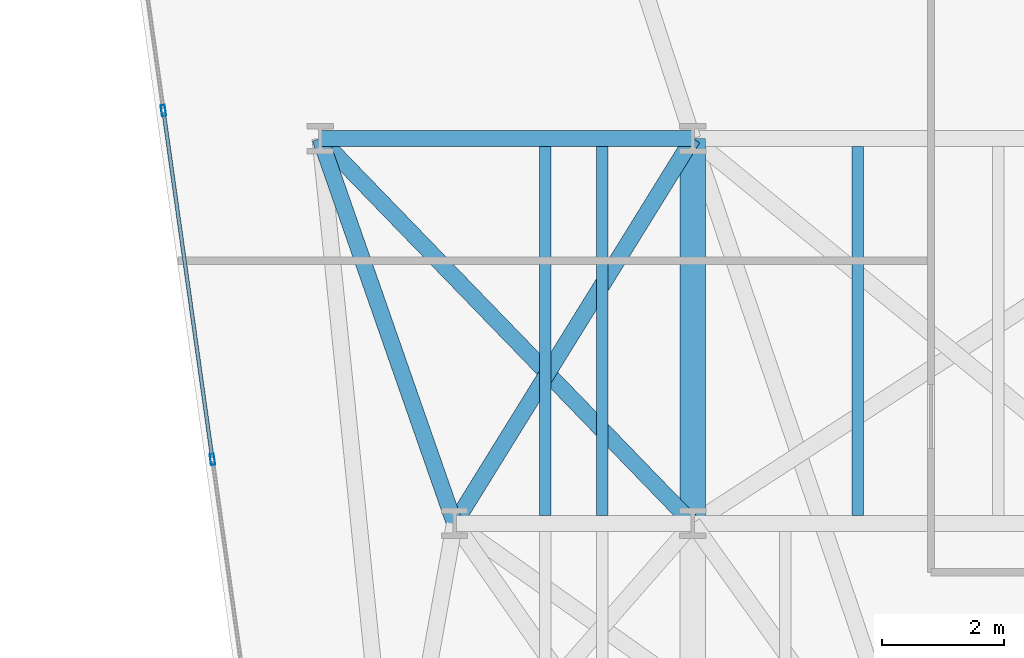
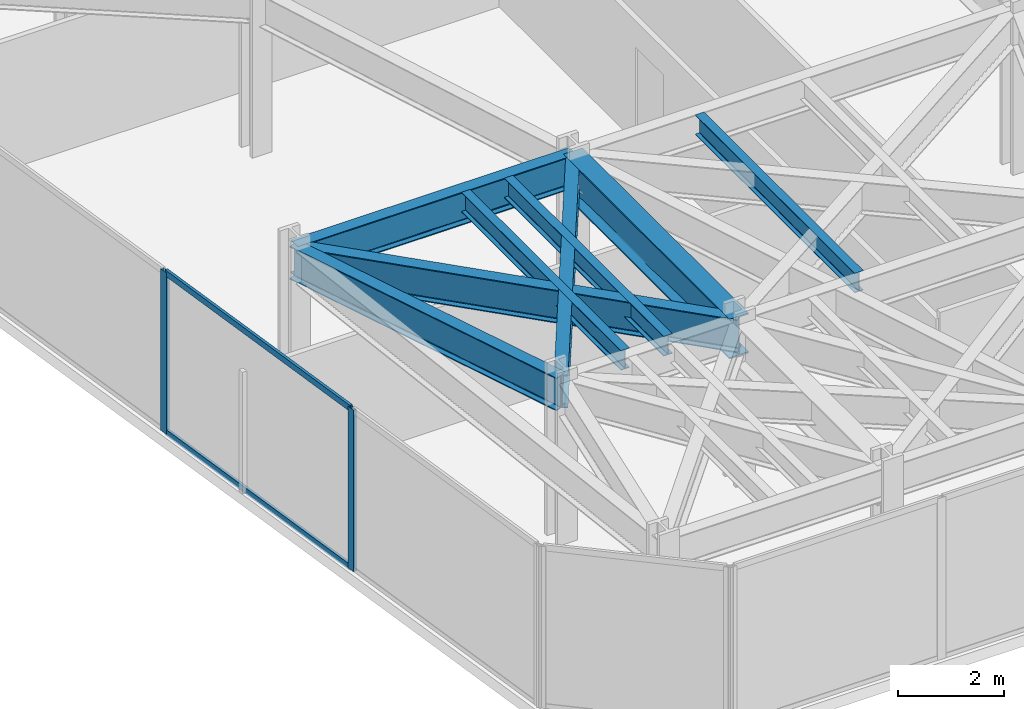
# One storey, part 4 of 25: 8 beams, 4 members, 1 element without a shape of its own.
"""IFC4 building model written with IfcOpenShell, lengths in metres."""

from ifc_helpers import new_model, si_unit, direction, frame, origin, origin_2d, place, context, subcontext, project, spatial, hollow_rectangle, i_section, extrude, material, layer, layer_set, material_profile, profile_set, type_object, element, aggregate, save


model = new_model("IFC4")

# Units and contexts
model_context = context("Model", 3, precision=1e-05, world=origin(), true_north=direction((0.0, 1.0)))
body_context = subcontext(model_context, "Body", "Model", "MODEL_VIEW")
ifc_project = project(units=[si_unit("LENGTHUNIT", "METRE"), si_unit("AREAUNIT", "SQUARE_METRE"), si_unit("VOLUMEUNIT", "CUBIC_METRE"), si_unit("PLANEANGLEUNIT", "RADIAN"), si_unit("MASSUNIT", "GRAM", prefix="KILO")], contexts=[model_context])

# Site, building, storey
site_placement = place(None, origin())
site = spatial("IfcSite", under=ifc_project, at=site_placement, CompositionType="ELEMENT")
building_placement = place(site_placement, origin())
building = spatial("IfcBuilding", under=site, at=building_placement, Name="Kravanh Interchange Tower", CompositionType="ELEMENT")
storey_placement = place(building_placement, frame((0.0, 0.0, 73.5)))
storey = spatial("IfcBuildingStorey", under=building, at=storey_placement, Name="L17", CompositionType="ELEMENT", Elevation=73.5)

# Curtain wall, members
ifc_material_1 = material(Name="Anodised Bronze Aluminium", Category="aluminium")
ifc_layer = layer(ifc_material_1, 0.179931640625)
ifc_layer_set = layer_set([ifc_layer], Name="Unitised Curtain Wall System CW-Z1 Lower Office")
curtain_wall_type = type_object("IfcCurtainWallType", Name="Unitised Curtain Wall System CW-Z1 Lower Office", PredefinedType="NOTDEFINED", material=ifc_layer_set)
curtain_wall_placement = place(storey_placement, origin())
curtain_wall = element("IfcCurtainWall", 1, at=curtain_wall_placement, inside=storey, type_object=curtain_wall_type, Name="L17 Unitised Curtain Wall CW-L17-01", PredefinedType="NOTDEFINED")
ifc_material_2 = material(Name="Anodised Bronze Aluminium", Category="aluminium")
ifc_material_profile_1 = material_profile(ifc_material_2, hollow_rectangle(XDim=0.070068359375, YDim=0.179931640625, WallThickness=0.00390625, at=origin_2d()), Name="ALU70X180X4")
ifc_profile_set_1 = profile_set([ifc_material_profile_1], Name="Anodised Bronze Aluminium")
member_type_1 = type_object("IfcMemberType", Name="Curtain Wall Mullion ALU70X180X4 Bronze", PredefinedType="MULLION", material=ifc_profile_set_1)
member_1_placement = place(storey_placement, frame((9.6376953125, 9.247314453125, 0.0), z_axis=(0.0, 0.0, 1.0), x_axis=(-0.990267585682, -0.139176538065, 0.0)))
member_1 = element("IfcMember", 2, at=member_1_placement, type_object=member_type_1, Name="CW-Z1 mullion 2", PredefinedType="MULLION", context=body_context, shape_type="SweptSolid", body=[
    extrude(hollow_rectangle(XDim=0.070068359375, YDim=0.179931640625, WallThickness=0.00390625, at=origin_2d()), origin(), (0.0, 0.0, 1.0), 3.739990234375),
])
member_2_placement = place(storey_placement, frame((8.835205078125, 14.957763671875, 0.0), z_axis=(0.0, 0.0, 1.0), x_axis=(-0.990267585682, -0.139176538065, 0.0)))
member_2 = element("IfcMember", 3, at=member_2_placement, type_object=member_type_1, Name="CW-Z1 mullion 3", PredefinedType="MULLION", context=body_context, shape_type="SweptSolid", body=[
    extrude(hollow_rectangle(XDim=0.070068359375, YDim=0.179931640625, WallThickness=0.00390625, at=origin_2d()), origin(), (0.0, 0.0, 1.0), 3.739990234375),
])
ifc_material_3 = material(Name="Anodised Bronze Aluminium", Category="aluminium")
ifc_material_profile_2 = material_profile(ifc_material_3, hollow_rectangle(XDim=0.06005859375, YDim=0.139892578125, WallThickness=0.00390625, at=origin_2d()), Name="ALU60X140X4")
ifc_profile_set_2 = profile_set([ifc_material_profile_2], Name="Anodised Bronze Aluminium")
member_type_2 = type_object("IfcMemberType", Name="Curtain Wall Transom ALU60X140X4 Bronze", PredefinedType="USERDEFINED", material=ifc_profile_set_2)
member_3_placement = place(storey_placement, frame((9.633056640625, 9.281982421875, 0.030029296875), z_axis=(-0.139200984921, 0.990264149506, 0.0), x_axis=(-0.990264149506, -0.139200984921, 0.0)))
member_3 = element("IfcMember", 4, at=member_3_placement, type_object=member_type_2, Name="CW-Z1 transom 2.1", ObjectType="TRANSOM", PredefinedType="USERDEFINED", context=body_context, shape_type="SweptSolid", body=[
    extrude(hollow_rectangle(XDim=0.06005859375, YDim=0.139892578125, WallThickness=0.00390625, at=origin_2d()), origin(), (0.0, 0.0, 1.0), 5.696533203125),
])
member_4_placement = place(storey_placement, frame((9.633056640625, 9.281982421875, 3.7099609375), z_axis=(-0.139200984921, 0.990264149506, 0.0), x_axis=(-0.990264149506, -0.139200984921, 0.0)))
member_4 = element("IfcMember", 5, at=member_4_placement, type_object=member_type_2, Name="CW-Z1 transom 2.2", ObjectType="TRANSOM", PredefinedType="USERDEFINED", context=body_context, shape_type="SweptSolid", body=[
    extrude(hollow_rectangle(XDim=0.06005859375, YDim=0.139892578125, WallThickness=0.00390625, at=origin_2d()), origin(), (0.0, 0.0, 1.0), 5.696533203125),
])
aggregate(curtain_wall, [member_1, member_2, member_3, member_4])

# Beams
ifc_material_4 = material(Name="Structural Steel S355", Category="steel")
ifc_material_profile_3 = material_profile(ifc_material_4, i_section(OverallWidth=0.41796875, OverallDepth=0.927001953125, WebThickness=0.019287109375, FlangeThickness=0.031982421875, FilletRadius=0.028076171875, at=origin_2d()), Name="W36X231")
ifc_profile_set_3 = profile_set([ifc_material_profile_3], Name="Structural Steel S355")
beam_type_1 = type_object("IfcBeamType", Name="Floor Beam W36X231 Structural Steel S355", PredefinedType="BEAM", material=ifc_profile_set_3)
beam_1_placement = place(storey_placement, frame((17.5, 8.199951171875, 3.276611328125), z_axis=(0.0, 1.0, 0.0), x_axis=(-1.0, 0.0, 0.0)))
element("IfcBeam", 6, at=beam_1_placement, inside=storey, type_object=beam_type_1, Name="L17 Primary Floor Girder 136", PredefinedType="BEAM", context=body_context, shape_type="SweptSolid", body=[
    extrude(i_section(OverallWidth=0.41796875, OverallDepth=0.927001953125, WebThickness=0.019287109375, FlangeThickness=0.031982421875, FilletRadius=0.028076171875, at=origin_2d()), origin(), (0.0, 0.0, 1.0), 6.300048828125),
])
ifc_material_5 = material(Name="Structural Steel S355", Category="steel")
ifc_material_profile_4 = material_profile(ifc_material_5, i_section(OverallWidth=0.18994140625, OverallDepth=0.45703125, WebThickness=0.009033203125, FlangeThickness=0.014404296875, FilletRadius=0.01806640625, at=origin_2d()), Name="W18X50")
ifc_profile_set_4 = profile_set([ifc_material_profile_4], Name="Structural Steel S355")
beam_type_2 = type_object("IfcBeamType", Name="Floor Joist W18X50 Structural Steel S355", PredefinedType="JOIST", material=ifc_profile_set_4)
for number, where, z_axis, x_axis, name in (
    (7, (15.08203125, 8.32861328125, 3.511474609375), (0.0, 1.0, 0.0), (-1.0, 0.0, 0.0), "L17 Secondary Floor Joist 7"),
    (8, (16.01806640625, 8.32861328125, 3.511474609375), (0.0, 1.0, 0.0), (-1.0, 0.0, 0.0), "L17 Secondary Floor Joist 8"),
    (9, (20.197998046875, 8.32861328125, 3.511474609375), (0.0, 1.0, 0.0), (-1.0, 0.0, 0.0), "L17 Secondary Floor Joist 9"),
):
    element("IfcBeam", number, at=place(storey_placement, frame(where, z_axis=z_axis, x_axis=x_axis)), inside=storey, type_object=beam_type_2, Name=name, PredefinedType="JOIST", context=body_context, shape_type="SweptSolid", body=[
        extrude(i_section(OverallWidth=0.18994140625, OverallDepth=0.45703125, WebThickness=0.009033203125, FlangeThickness=0.014404296875, FilletRadius=0.01806640625, at=origin_2d()), origin(), (0.0, 0.0, 1.0), 6.04296875),
    ])
ifc_material_6 = material(Name="Structural Steel S355", Category="steel")
ifc_material_profile_5 = material_profile(ifc_material_6, i_section(OverallWidth=0.26708984375, OverallDepth=0.761962890625, WebThickness=0.014404296875, FlangeThickness=0.021484375, FilletRadius=0.02490234375, at=origin_2d()), Name="W30X116")
ifc_profile_set_5 = profile_set([ifc_material_profile_5], Name="Structural Steel S355")
beam_type_3 = type_object("IfcBeamType", Name="Floor Spandrel W30X116 Structural Steel S355", PredefinedType="SPANDREL", material=ifc_profile_set_5)
beam_2_placement = place(storey_placement, frame((13.60009765625, 8.199951171875, 3.35888671875), z_axis=(-0.329706642337, 0.944083433812, 0.0), x_axis=(-0.944083433812, -0.329706642337, 0.0)))
element("IfcBeam", 10, at=beam_2_placement, inside=storey, type_object=beam_type_3, Name="L17 Perimeter Spandrel 134", PredefinedType="SPANDREL", context=body_context, shape_type="SweptSolid", body=[
    extrude(i_section(OverallWidth=0.26708984375, OverallDepth=0.761962890625, WebThickness=0.014404296875, FlangeThickness=0.021484375, FilletRadius=0.02490234375, at=origin_2d()), origin(), (0.0, 0.0, 1.0), 6.673095703125),
])
beam_3_placement = place(storey_placement, frame((13.60009765625, 8.199951171875, 3.35888671875), z_axis=(0.5263421368, 0.850272870923, 0.0), x_axis=(-0.850272870923, 0.5263421368, 0.0)))
element("IfcBeam", 11, at=beam_3_placement, inside=storey, type_object=beam_type_3, Name="L17 Perimeter Spandrel 135", PredefinedType="SPANDREL", context=body_context, shape_type="SweptSolid", body=[
    extrude(i_section(OverallWidth=0.26708984375, OverallDepth=0.761962890625, WebThickness=0.014404296875, FlangeThickness=0.021484375, FilletRadius=0.02490234375, at=origin_2d()), origin(), (0.0, 0.0, 1.0), 7.409423828125),
])
beam_4_placement = place(storey_placement, frame((17.5, 8.199951171875, 3.35888671875), z_axis=(-0.695614323867, 0.718415417729, 0.0), x_axis=(-0.718415417729, -0.695614323867, 0.0)))
element("IfcBeam", 12, at=beam_4_placement, inside=storey, type_object=beam_type_3, Name="L17 Perimeter Spandrel 138", PredefinedType="SPANDREL", context=body_context, shape_type="SweptSolid", body=[
    extrude(i_section(OverallWidth=0.26708984375, OverallDepth=0.761962890625, WebThickness=0.014404296875, FlangeThickness=0.021484375, FilletRadius=0.02490234375, at=origin_2d()), origin(), (0.0, 0.0, 1.0), 8.769287109375),
])
beam_5_placement = place(storey_placement, frame((11.39990234375, 14.5, 3.35888671875), z_axis=(1.0, 0.0, 0.0), x_axis=(0.0, 1.0, 0.0)))
element("IfcBeam", 13, at=beam_5_placement, inside=storey, type_object=beam_type_3, Name="L17 Perimeter Spandrel 143", PredefinedType="SPANDREL", context=body_context, shape_type="SweptSolid", body=[
    extrude(i_section(OverallWidth=0.26708984375, OverallDepth=0.761962890625, WebThickness=0.014404296875, FlangeThickness=0.021484375, FilletRadius=0.02490234375, at=origin_2d()), origin(), (0.0, 0.0, 1.0), 6.10009765625),
])

save(model, "model.ifc")
